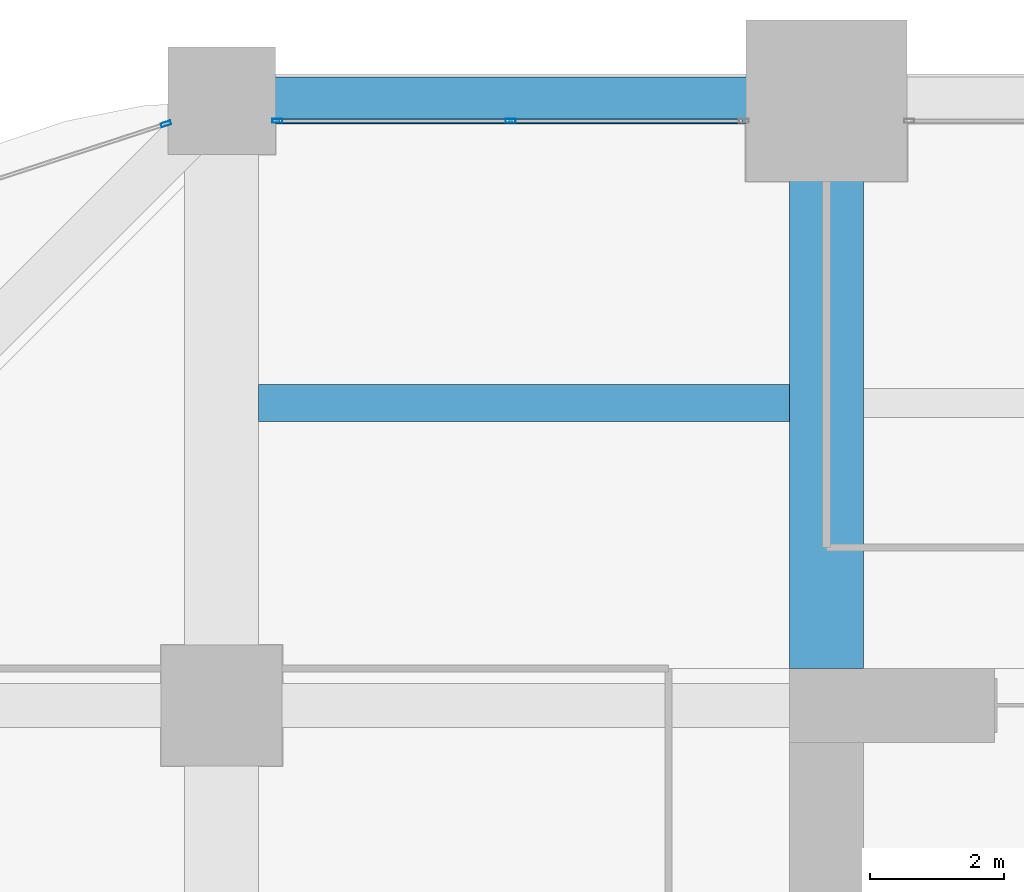
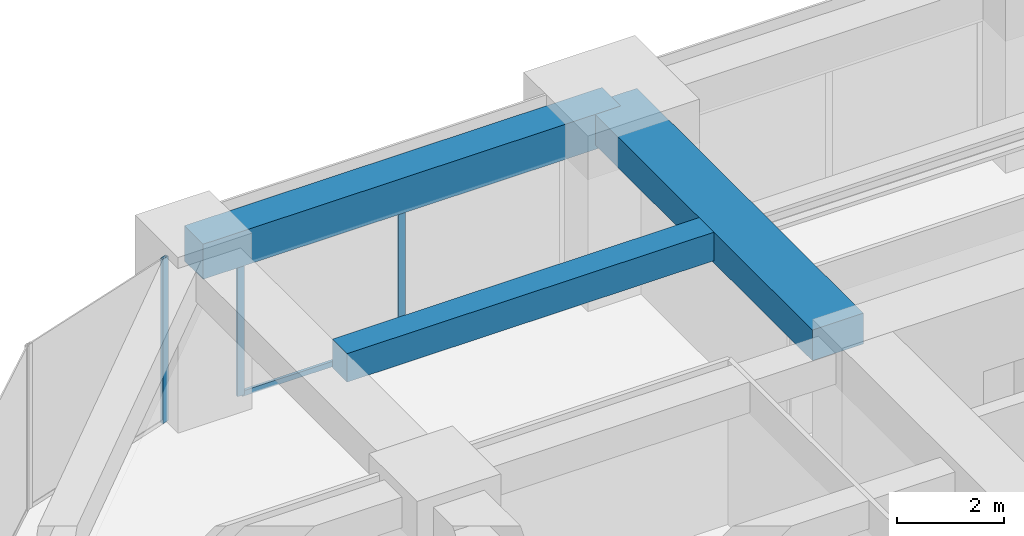
# One storey, part 27 of 40: 4 members, 3 beams, 2 elements without a shape of their own.
"""IFC4 building model written with IfcOpenShell, lengths in metres."""

from ifc_helpers import new_model, si_unit, direction, frame, origin, origin_2d, place, context, subcontext, project, spatial, rectangle, hollow_rectangle, extrude, material, material_profile, profile_set, type_object, element, aggregate, save


model = new_model("IFC4")

# Units and contexts
model_context = context("Model", 3, precision=1e-05, world=origin(), true_north=direction((0.0, 1.0)))
body_context = subcontext(model_context, "Body", "Model", "MODEL_VIEW")
ifc_project = project(units=[si_unit("LENGTHUNIT", "METRE"), si_unit("AREAUNIT", "SQUARE_METRE"), si_unit("VOLUMEUNIT", "CUBIC_METRE"), si_unit("PLANEANGLEUNIT", "RADIAN"), si_unit("MASSUNIT", "GRAM", prefix="KILO")], contexts=[model_context])

# Site, building, storey
site_placement = place(None, origin())
site = spatial("IfcSite", under=ifc_project, at=site_placement, CompositionType="ELEMENT")
building_placement = place(site_placement, origin())
building = spatial("IfcBuilding", under=site, at=building_placement, Name="Zorevar Civic Tower", CompositionType="ELEMENT")
storey_placement = place(building_placement, frame((0.0, 0.0, 129.0)))
storey = spatial("IfcBuildingStorey", under=building, at=storey_placement, Name="L31", CompositionType="ELEMENT", Elevation=129.0)

# Beams
ifc_material_1 = material(Name="Concrete C50/60", Category="concrete")
ifc_material_profile_1 = material_profile(ifc_material_1, rectangle(XDim=1.10009765625, YDim=0.699951171875, at=origin_2d()), Name="RC 1100x700")
ifc_profile_set_1 = profile_set([ifc_material_profile_1], Name="Concrete C50/60")
beam_type_1 = type_object("IfcBeamType", Name="Beam RC 1100x700", PredefinedType="BEAM", material=ifc_profile_set_1)
beam_1_placement = place(storey_placement, frame((18.0, 36.550048828125, 3.39990234375), z_axis=(0.0, 1.0, 0.0), x_axis=(-1.0, 0.0, 0.0)))
element("IfcBeam", 1, at=beam_1_placement, inside=storey, type_object=beam_type_1, Name="Girder L32", PredefinedType="BEAM", context=body_context, shape_type="SweptSolid", body=[
    extrude(rectangle(XDim=1.10009765625, YDim=0.699951171875, at=origin_2d()), origin(), (0.0, 0.0, 1.0), 8.449951171875),
])
ifc_material_2 = material(Name="Concrete C50/60", Category="concrete")
ifc_material_profile_2 = material_profile(ifc_material_2, rectangle(XDim=0.550048828125, YDim=0.64990234375, at=origin_2d()), Name="RC 550x650")
ifc_profile_set_2 = profile_set([ifc_material_profile_2], Name="Concrete C50/60")
beam_type_2 = type_object("IfcBeamType", Name="Beam RC 550x650", PredefinedType="BEAM", material=ifc_profile_set_2)
beam_2_placement = place(storey_placement, frame((9.550048828125, 40.5, 3.425048828125), z_axis=(1.0, 0.0, 0.0), x_axis=(0.0, 1.0, 0.0)))
element("IfcBeam", 2, at=beam_2_placement, inside=storey, type_object=beam_type_2, Name="Secondary beam L32", PredefinedType="BEAM", context=body_context, shape_type="SweptSolid", body=[
    extrude(rectangle(XDim=0.550048828125, YDim=0.64990234375, at=origin_2d()), origin(), (0.0, 0.0, 1.0), 7.89990234375),
])

# Curtain wall, members
ifc_material_3 = material(Name="Dark grey solar-control glass in black aluminium frame", Category="aluminium")
curtain_wall_type = type_object("IfcCurtainWallType", Name="Curtain wall CW3 mid zone", PredefinedType="NOTDEFINED", material=ifc_material_3)
curtain_wall_1_placement = place(storey_placement, origin())
curtain_wall_1 = element("IfcCurtainWall", 3, at=curtain_wall_1_placement, inside=storey, type_object=curtain_wall_type, Name="CW3 L31", PredefinedType="NOTDEFINED")
ifc_material_4 = material(Name="Aluminium, black anodised", Category="aluminium")
ifc_material_profile_3 = material_profile(ifc_material_4, hollow_rectangle(XDim=0.06005859375, YDim=0.14990234375, WallThickness=0.00390625, at=origin_2d()), Name="AL 150x60x4")
ifc_profile_set_3 = profile_set([ifc_material_profile_3], Name="Aluminium, black anodised")
member_type_1 = type_object("IfcMemberType", Name="CW3 mullion AL 150x60x4", PredefinedType="MULLION", material=ifc_profile_set_3)
member_1_placement = place(storey_placement, frame((9.830078125, 44.699951171875, 0.0), z_axis=(0.0, 0.0, 1.0), x_axis=(0.0, 1.0, 0.0)))
member_1 = element("IfcMember", 4, at=member_1_placement, type_object=member_type_1, Name="CW3 mullion 1", PredefinedType="MULLION", context=body_context, shape_type="SweptSolid", body=[
    extrude(hollow_rectangle(XDim=0.06005859375, YDim=0.14990234375, WallThickness=0.00390625, at=origin_2d()), origin(), (0.0, 0.0, 1.0), 2.949951171875),
])
member_2_placement = place(storey_placement, frame((13.300048828125, 44.699951171875, 0.06005859375), z_axis=(0.0, 0.0, 1.0), x_axis=(0.0, 1.0, 0.0)))
member_2 = element("IfcMember", 5, at=member_2_placement, type_object=member_type_1, Name="CW3 mullion 2", PredefinedType="MULLION", context=body_context, shape_type="SweptSolid", body=[
    extrude(hollow_rectangle(XDim=0.06005859375, YDim=0.14990234375, WallThickness=0.00390625, at=origin_2d()), origin(), (0.0, 0.0, 1.0), 2.889892578125),
])

# Curtain wall, member
curtain_wall_2_placement = place(storey_placement, origin())
curtain_wall_2 = element("IfcCurtainWall", 6, at=curtain_wall_2_placement, inside=storey, type_object=curtain_wall_type, Name="CW3 L31", PredefinedType="NOTDEFINED")
member_3_placement = place(storey_placement, frame((8.17138671875, 44.65380859375, 0.0), z_axis=(0.0, 0.0, 1.0), x_axis=(0.310263169163, -0.950650706548, 0.0)))
member_3 = element("IfcMember", 7, at=member_3_placement, type_object=member_type_1, Name="CW3 mullion 1", PredefinedType="MULLION", context=body_context, shape_type="SweptSolid", body=[
    extrude(hollow_rectangle(XDim=0.06005859375, YDim=0.14990234375, WallThickness=0.00390625, at=origin_2d()), origin(), (0.0, 0.0, 1.0), 3.75),
])
aggregate(curtain_wall_2, [member_3])

# Member
ifc_material_5 = material(Name="Aluminium, black anodised", Category="aluminium")
ifc_material_profile_4 = material_profile(ifc_material_5, hollow_rectangle(XDim=0.06005859375, YDim=0.1201171875, WallThickness=0.0029296875, at=origin_2d()), Name="AL 120x60x3")
ifc_profile_set_4 = profile_set([ifc_material_profile_4], Name="Aluminium, black anodised")
member_type_2 = type_object("IfcMemberType", Name="CW3 transom AL 120x60x3", PredefinedType="USERDEFINED", material=ifc_profile_set_4)
member_4_placement = place(storey_placement, frame((9.860107421875, 44.699951171875, 0.030029296875), z_axis=(1.0, 0.0, 0.0), x_axis=(0.0, 1.0, 0.0)))
member_4 = element("IfcMember", 8, at=member_4_placement, type_object=member_type_2, Name="CW3 sill transom", ObjectType="TRANSOM", PredefinedType="USERDEFINED", context=body_context, shape_type="SweptSolid", body=[
    extrude(hollow_rectangle(XDim=0.06005859375, YDim=0.1201171875, WallThickness=0.0029296875, at=origin_2d()), origin(), (0.0, 0.0, 1.0), 6.8798828125),
])

aggregate(curtain_wall_1, [member_1, member_2, member_4])

# Beam
ifc_material_6 = material(Name="Concrete C50/60", Category="concrete")
ifc_material_profile_5 = material_profile(ifc_material_6, rectangle(XDim=0.699951171875, YDim=0.800048828125, at=origin_2d()), Name="RC 700x800")
ifc_profile_set_5 = profile_set([ifc_material_profile_5], Name="Concrete C50/60")
beam_type_3 = type_object("IfcBeamType", Name="Edge beam RC 700x800", PredefinedType="SPANDREL", material=ifc_profile_set_5)
beam_3_placement = place(storey_placement, frame((9.0, 45.0, 3.35009765625), z_axis=(1.0, 0.0, 0.0), x_axis=(0.0, 1.0, 0.0)))
element("IfcBeam", 9, at=beam_3_placement, inside=storey, type_object=beam_type_3, Name="Edge beam L32", PredefinedType="SPANDREL", context=body_context, shape_type="SweptSolid", body=[
    extrude(rectangle(XDim=0.699951171875, YDim=0.800048828125, at=origin_2d()), origin(), (0.0, 0.0, 1.0), 9.0),
])

save(model, "model.ifc")
